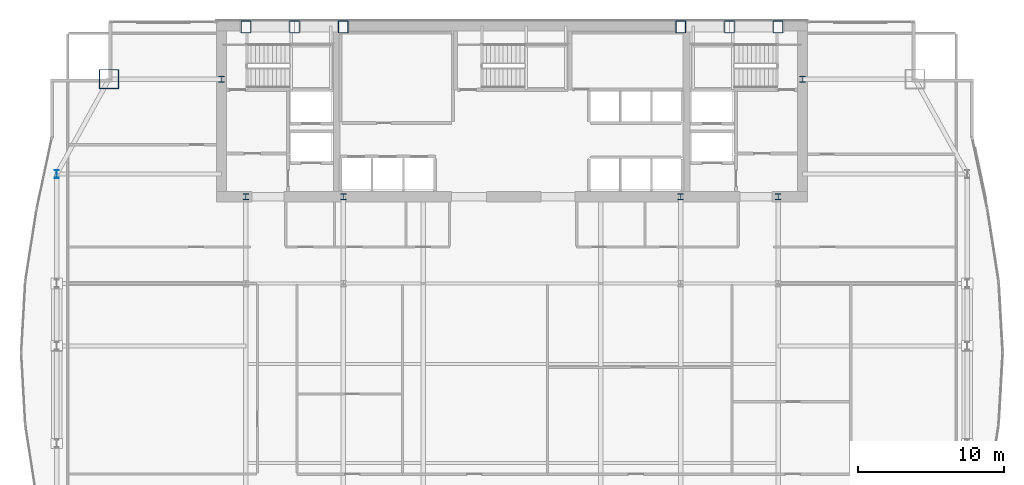
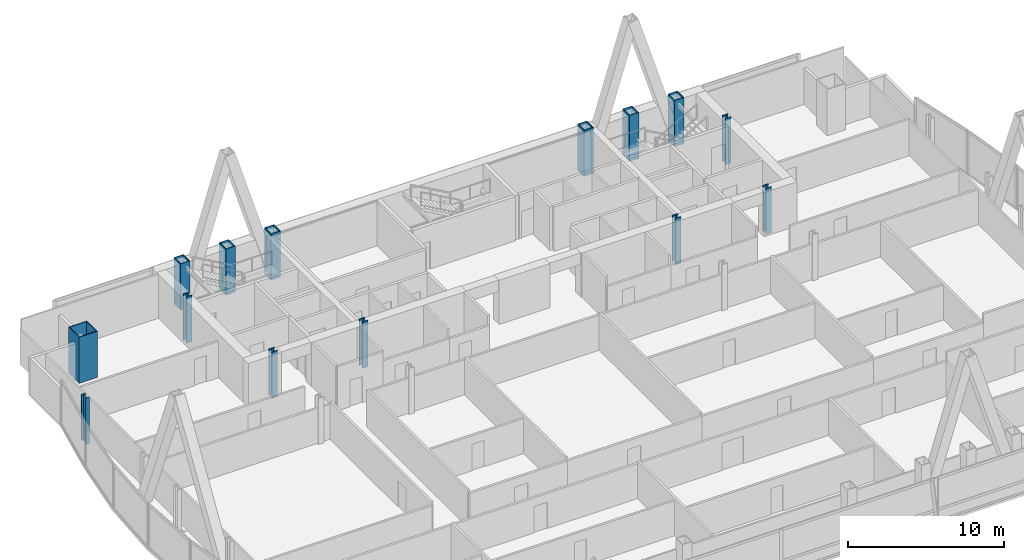
# One storey, part 3 of 30: 14 columns.
"""IFC4 building model written with IfcOpenShell, lengths in metres."""

from ifc_helpers import new_model, si_unit, direction, frame, origin, origin_2d, place, context, subcontext, project, spatial, hollow_rectangle, i_section, extrude, material, material_profile, profile_set, type_object, element, save


model = new_model("IFC4")

# Units and contexts
model_context = context("Model", 3, precision=1e-05, world=origin(), true_north=direction((0.0, 1.0)))
body_context = subcontext(model_context, "Body", "Model", "MODEL_VIEW")
ifc_project = project(units=[si_unit("LENGTHUNIT", "METRE"), si_unit("AREAUNIT", "SQUARE_METRE"), si_unit("VOLUMEUNIT", "CUBIC_METRE"), si_unit("PLANEANGLEUNIT", "RADIAN"), si_unit("MASSUNIT", "GRAM", prefix="KILO")], contexts=[model_context])

# Site, building, storey
site_placement = place(None, origin())
site = spatial("IfcSite", under=ifc_project, at=site_placement, CompositionType="ELEMENT")
building_placement = place(site_placement, origin())
building = spatial("IfcBuilding", under=site, at=building_placement, Name="Khoronbel Lancet Exchange", CompositionType="ELEMENT")
storey_placement = place(building_placement, frame((0.0, 0.0, 157.800048828125)))
storey = spatial("IfcBuildingStorey", under=building, at=storey_placement, Name="L39", CompositionType="ELEMENT", Elevation=157.800048828125)

# Columns
ifc_material_1 = material(Name="Steel S460", Category="steel")
ifc_material_profile_1 = material_profile(ifc_material_1, hollow_rectangle(XDim=0.699951171875, YDim=0.85009765625, WallThickness=0.050048828125, at=origin_2d()), Name="BOX 850x700x50")
ifc_profile_set_1 = profile_set([ifc_material_profile_1], Name="Steel S460")
column_type_1 = type_object("IfcColumnType", Name="COL-EC2", PredefinedType="COLUMN", material=ifc_profile_set_1)
for number, where, z_axis, x_axis, name in (
    (1, (18.22509765625, 53.280029296875, 0.0), (0.0, 0.0, 1.0), (1.0, 0.0, 0.0), "Structural column NC-W1 L39"),
    (2, (21.5625, 53.280029296875, 0.0), (0.0, 0.0, 1.0), (1.0, 0.0, 0.0), "Structural column NC-WM L39"),
    (3, (24.89990234375, 53.280029296875, 0.0), (0.0, 0.0, 1.0), (1.0, 0.0, 0.0), "Structural column NC-W2 L39"),
    (4, (48.0, 53.280029296875, 0.0), (0.0, 0.0, 1.0), (1.0, 0.0, 0.0), "Structural column NC-E1 L39"),
    (5, (51.33740234375, 53.280029296875, 0.0), (0.0, 0.0, 1.0), (1.0, 0.0, 0.0), "Structural column NC-EM L39"),
    (6, (54.675048828125, 53.280029296875, 0.0), (0.0, 0.0, 1.0), (1.0, 0.0, 0.0), "Structural column NC-E2 L39"),
):
    element("IfcColumn", number, at=place(storey_placement, frame(where, z_axis=z_axis, x_axis=x_axis)), inside=storey, type_object=column_type_1, Name=name, PredefinedType="COLUMN", context=body_context, shape_type="SweptSolid", body=[
        extrude(hollow_rectangle(XDim=0.699951171875, YDim=0.85009765625, WallThickness=0.050048828125, at=origin_2d()), origin(), (0.0, 0.0, 1.0), 3.599853515625),
    ])
ifc_material_profile_2 = material_profile(ifc_material_1, i_section(OverallWidth=0.416015625, OverallDepth=0.446044921875, WebThickness=0.0390625, FlangeThickness=0.062744140625, at=origin_2d()), Name="HD 400x509")
ifc_profile_set_2 = profile_set([ifc_material_profile_2], Name="Steel S460")
column_type_2 = type_object("IfcColumnType", Name="COL-IC2", PredefinedType="COLUMN", material=ifc_profile_set_2)
for number, where, z_axis, x_axis, name in (
    (7, (16.550048828125, 49.699951171875, 0.0), (0.0, 0.0, 1.0), (1.0, 0.0, 0.0), "Core-flank plumb transfer column CFW L39"),
    (8, (56.35009765625, 49.699951171875, 0.0), (0.0, 0.0, 1.0), (1.0, 0.0, 0.0), "Core-flank plumb transfer column CFE L39"),
    (9, (18.22509765625, 41.64990234375, 0.0), (0.0, 0.0, 1.0), (1.0, 0.0, 0.0), "Core-embedded steel column CTC1 L39"),
    (10, (24.89990234375, 41.64990234375, 0.0), (0.0, 0.0, 1.0), (1.0, 0.0, 0.0), "Core-embedded steel column CTC2 L39"),
    (11, (48.0, 41.64990234375, 0.0), (0.0, 0.0, 1.0), (1.0, 0.0, 0.0), "Core-embedded steel column CTC3 L39"),
    (12, (54.675048828125, 41.64990234375, 0.0), (0.0, 0.0, 1.0), (1.0, 0.0, 0.0), "Core-embedded steel column CTC4 L39"),
):
    element("IfcColumn", number, at=place(storey_placement, frame(where, z_axis=z_axis, x_axis=x_axis)), inside=storey, type_object=column_type_2, Name=name, PredefinedType="COLUMN", context=body_context, shape_type="SweptSolid", body=[
        extrude(i_section(OverallWidth=0.416015625, OverallDepth=0.446044921875, WebThickness=0.0390625, FlangeThickness=0.062744140625, at=origin_2d()), origin(), (0.0, 0.0, 1.0), 3.599853515625),
    ])
ifc_material_2 = material(Name="Steel S355", Category="steel")
ifc_material_profile_3 = material_profile(ifc_material_2, i_section(OverallWidth=0.300048828125, OverallDepth=0.550048828125, WebThickness=0.014892578125, FlangeThickness=0.029052734375, at=origin_2d()), Name="HEB 550")
ifc_profile_set_3 = profile_set([ifc_material_profile_3], Name="Steel S355")
column_type_3 = type_object("IfcColumnType", Name="COL-LC1", PredefinedType="COLUMN", material=ifc_profile_set_3)
column_1_placement = place(storey_placement, frame((5.27001953125, 43.199951171875, 0.0), z_axis=(0.0, 0.0, 1.0), x_axis=(1.0, 0.0, 0.0)))
element("IfcColumn", 13, at=column_1_placement, inside=storey, type_object=column_type_3, Name="Structural column WC-4 L39", PredefinedType="COLUMN", context=body_context, shape_type="SweptSolid", body=[
    extrude(i_section(OverallWidth=0.300048828125, OverallDepth=0.550048828125, WebThickness=0.014892578125, FlangeThickness=0.029052734375, at=origin_2d()), origin(), (0.0, 0.0, 1.0), 3.599853515625),
])
ifc_material_profile_4 = material_profile(ifc_material_1, hollow_rectangle(XDim=1.35009765625, YDim=1.35009765625, WallThickness=0.06494140625, at=origin_2d()), Name="BOX 1350x1350x65")
ifc_profile_set_4 = profile_set([ifc_material_profile_4], Name="Steel S460")
column_type_4 = type_object("IfcColumnType", Name="COL-MC4", PredefinedType="COLUMN", material=ifc_profile_set_4)
column_2_placement = place(storey_placement, frame((8.85009765625, 49.699951171875, 0.0), z_axis=(0.0, 0.0, 1.0), x_axis=(1.0, 0.0, 0.0)))
element("IfcColumn", 14, at=column_2_placement, inside=storey, type_object=column_type_4, Name="Structural column MC-NW L39", PredefinedType="COLUMN", context=body_context, shape_type="SweptSolid", body=[
    extrude(hollow_rectangle(XDim=1.35009765625, YDim=1.35009765625, WallThickness=0.06494140625, at=origin_2d()), origin(), (0.0, 0.0, 1.0), 3.599853515625),
])

save(model, "model.ifc")
